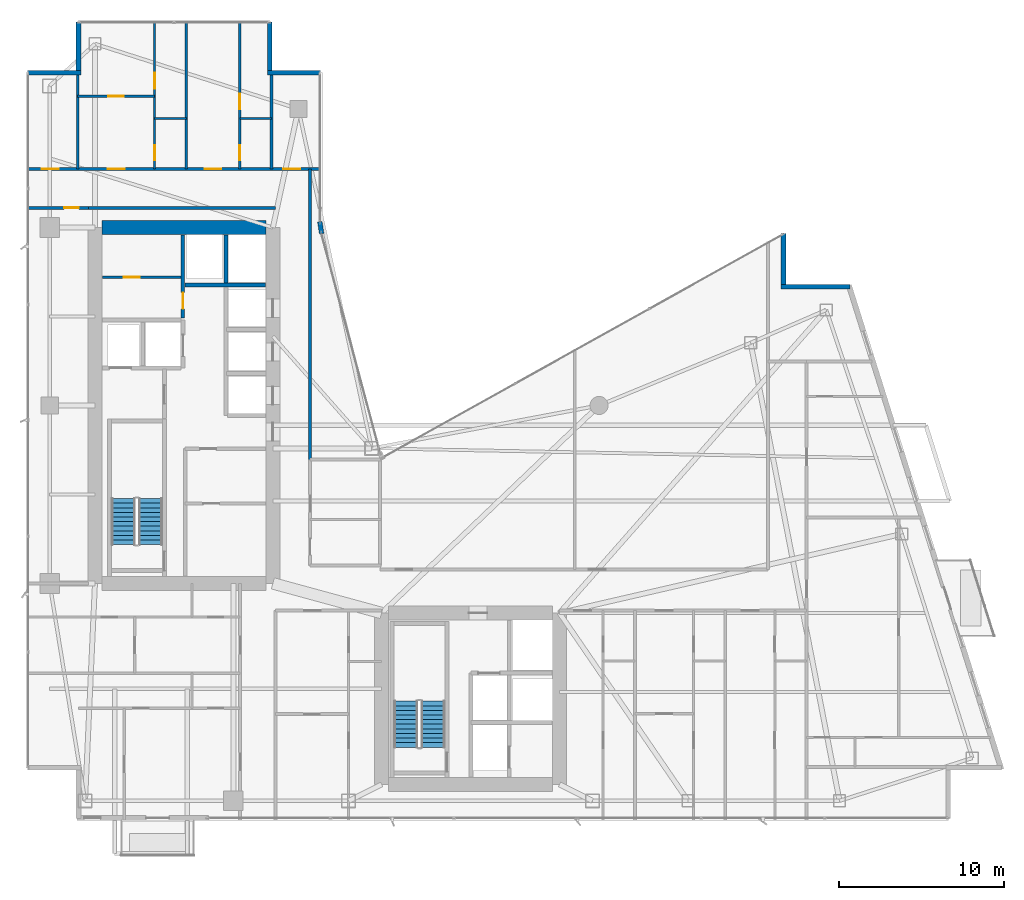
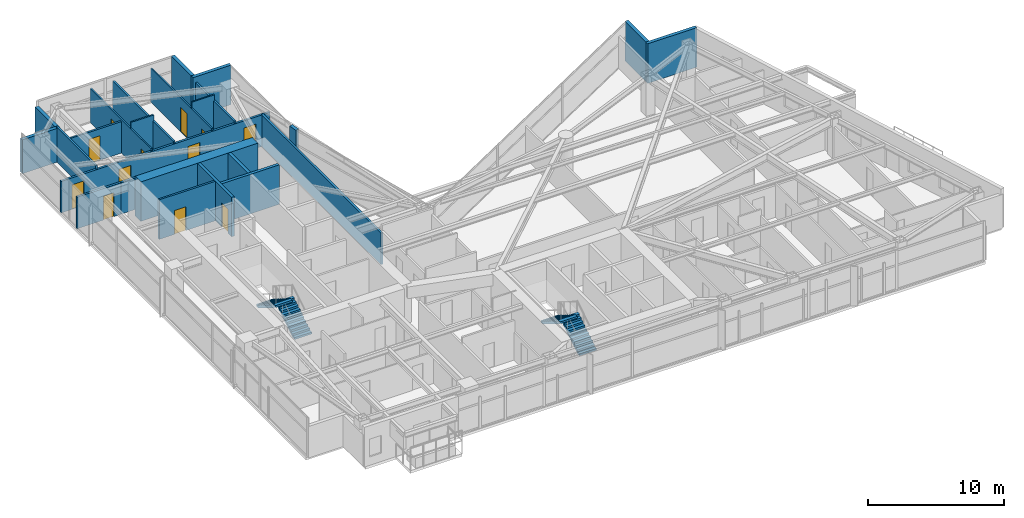
# One storey, part 25 of 28: 24 walls, 12 doors, 4 stair flights, 12 openings, 2 elements without a shape of their own.
"""IFC4 building model written with IfcOpenShell, lengths in metres."""

import ifcopenshell
import ifcopenshell.guid

model = None  # the IFC model being written
_history = None  # IfcOwnerHistory: only IFC2X3 demands one
_inside = {}  # id of a spatial element -> (the spatial element, [elements in it])
_under = {}  # id of a project, library or spatial element -> (it, [spatial elements below it])
_declared = {}  # id of a project -> (the project, [libraries it declares])
_typed = {}  # id of a type object -> (the type object, [elements of that type])
_made_of = {}  # id of a material, layer set ... -> (it, [elements and type objects made of it])


def new_model(schema):
    """Start an empty IFC model of exactly this schema.

    Asked for "IFC4X3", IfcOpenShell would pick the latest addendum, in which some entities
    have other attributes; the version numbers below select the first issue.
    IFC2X3 requires an IfcOwnerHistory on every rooted entity: one is made here for all.
    """
    global model, _history
    if schema == "IFC4X3":
        model = ifcopenshell.file(schema_version=(4, 3, 0, 0))
    else:
        model = ifcopenshell.file(schema=schema)
    _inside.clear()
    _under.clear()
    _declared.clear()
    _typed.clear()
    _made_of.clear()
    _history = None
    if model.schema == "IFC2X3":
        org = make("IfcOrganization", Name="unknown")
        user = make(
            "IfcPersonAndOrganization",
            ThePerson=make("IfcPerson", FamilyName="unknown"),
            TheOrganization=org,
        )
        app = make(
            "IfcApplication",
            ApplicationDeveloper=org,
            Version="unknown",
            ApplicationFullName="unknown",
            ApplicationIdentifier="unknown",
        )
        _history = make(
            "IfcOwnerHistory",
            OwningUser=user,
            OwningApplication=app,
            ChangeAction="ADDED",
            CreationDate=0,
        )
    return model


def make(cls, **values):
    """One entity of the class cls with the attributes given. An attribute that is None is left unset."""
    return model.create_entity(
        cls, **{name: value for name, value in values.items() if value is not None}
    )


def rooted(cls, **values):
    """An entity with a GlobalId (a new one), such as an element, a storey or a relation."""
    return make(cls, GlobalId=ifcopenshell.guid.new(), OwnerHistory=_history, **values)


def si_unit(unit_type, name, prefix=None):
    """IfcSIUnit, for example si_unit("LENGTHUNIT", "METRE", prefix="MILLI")."""
    return make("IfcSIUnit", UnitType=unit_type, Prefix=prefix, Name=name)


def assignment(units):
    """IfcUnitAssignment: the units of a project."""
    return None if units is None else make("IfcUnitAssignment", Units=units)


def point(xyz):
    """IfcCartesianPoint."""
    return None if xyz is None else make("IfcCartesianPoint", Coordinates=xyz)


def direction(xyz):
    """IfcDirection."""
    return None if xyz is None else make("IfcDirection", DirectionRatios=xyz)


def frame(location, z_axis=None, x_axis=None):
    """IfcAxis2Placement3D, a coordinate frame: its origin and axes. An axis left out is left unset."""
    return make(
        "IfcAxis2Placement3D",
        Location=point(location),
        Axis=direction(z_axis),
        RefDirection=direction(x_axis),
    )


def frame_2d(location, x_axis=None):
    """IfcAxis2Placement2D, a coordinate frame in the plane: its origin and x axis."""
    return make(
        "IfcAxis2Placement2D", Location=point(location), RefDirection=direction(x_axis)
    )


def origin():
    """The frame at (0, 0, 0) with its axes left unset."""
    return frame((0.0, 0.0, 0.0))


def place(relative_to, where):
    """IfcLocalPlacement: puts the frame where relative to a parent placement (None: the world)."""
    return make(
        "IfcLocalPlacement", PlacementRelTo=relative_to, RelativePlacement=where
    )


def context(
    kind, dimensions, precision=None, world=None, true_north=None, identifier=None
):
    """IfcGeometricRepresentationContext, for example the 3D "Model" context."""
    return make(
        "IfcGeometricRepresentationContext",
        ContextIdentifier=identifier,
        ContextType=kind,
        CoordinateSpaceDimension=dimensions,
        Precision=precision,
        WorldCoordinateSystem=world,
        TrueNorth=true_north,
    )


def subcontext(parent, identifier, kind, view, scale=None):
    """IfcGeometricRepresentationSubContext, for example "Body" below "Model"."""
    return make(
        "IfcGeometricRepresentationSubContext",
        ContextIdentifier=identifier,
        ContextType=kind,
        ParentContext=parent,
        TargetScale=scale,
        TargetView=view,
    )


def project(units=None, contexts=None):
    """IfcProject with its units and contexts."""
    return rooted(
        "IfcProject",
        Name="project",
        RepresentationContexts=contexts,
        UnitsInContext=assignment(units),
    )


def spatial(cls, under=None, at=None, **own):
    """A site, building, storey or space (cls), placed at a placement, below another one or the project."""
    s = rooted(cls, ObjectPlacement=at, **own)
    if under is not None:
        _under.setdefault(under.id(), (under, []))[1].append(s)
    return s


def polyline(points):
    """IfcPolyline through the points."""
    return make("IfcPolyline", Points=[point(p) for p in points])


def profile(cls, at=None, kind="AREA", **sizes):
    """A parametric profile (cls). Its sizes go by their IFC names, for example OverallWidth=200.0."""
    return make(cls, ProfileType=kind, Position=at, **sizes)


def rectangle(**sizes):
    """IfcRectangleProfileDef."""
    return profile("IfcRectangleProfileDef", **sizes)


def outline(outer, holes=None, kind="AREA"):
    """IfcArbitraryClosedProfileDef: a profile drawn as a closed curve; with holes, ...WithVoids."""
    if holes is None:
        return make("IfcArbitraryClosedProfileDef", ProfileType=kind, OuterCurve=outer)
    return make(
        "IfcArbitraryProfileDefWithVoids",
        ProfileType=kind,
        OuterCurve=outer,
        InnerCurves=holes,
    )


def extrude(swept, where, along, depth):
    """IfcExtrudedAreaSolid: the profile swept, set in the frame where, extruded along a direction by depth."""
    return make(
        "IfcExtrudedAreaSolid",
        SweptArea=swept,
        Position=where,
        ExtrudedDirection=direction(along),
        Depth=depth,
    )


def shape(context_of_items, identifier, shape_type, items):
    """IfcShapeRepresentation: the items that make up one representation, for example the "Body"."""
    return make(
        "IfcShapeRepresentation",
        ContextOfItems=context_of_items,
        RepresentationIdentifier=identifier,
        RepresentationType=shape_type,
        Items=items,
    )


def material(Name=None, Category=None):
    """IfcMaterial."""
    return make("IfcMaterial", Name=Name, Category=Category)


def layer(
    of_material, thickness, ventilated=None, Name=None, Category=None, Priority=None
):
    """IfcMaterialLayer: one layer of a wall or slab, of a material (None: an air gap)."""
    return make(
        "IfcMaterialLayer",
        Material=of_material,
        LayerThickness=thickness,
        IsVentilated=ventilated,
        Name=Name,
        Category=Category,
        Priority=Priority,
    )


def layer_set(layers, Name=None):
    """IfcMaterialLayerSet."""
    return make("IfcMaterialLayerSet", MaterialLayers=layers, LayerSetName=Name)


def made_of(thing, what):
    """Note that an element or type object is made of a material, layer set ...; save() writes the relation."""
    if what is not None:
        _made_of.setdefault(what.id(), (what, []))[1].append(thing)
    return thing


def type_object(cls, material=None, **own):
    """A type object (cls), such as IfcWallType, which elements share."""
    return made_of(rooted(cls, **own), material)


def element(
    cls,
    number,
    at=None,
    inside=None,
    cuts=None,
    type_object=None,
    material=None,
    context=None,
    identifier="Body",
    shape_type=None,
    held_by="IfcProductDefinitionShape",
    body=None,
    shapes=None,
    **own,
):
    """One element of the class cls, such as IfcWall. Its Tag is "e" and its number.

    at: its placement. inside: the storey or other place that contains it. cuts: it is an
    opening in that element (IfcRelVoidsElement). A single representation is given by context,
    identifier, shape_type and body (its items); several are given by shapes. held_by: the class
    of the entity that holds the representations. save() writes the other relations.
    """
    e = rooted(cls, Tag="e%d" % number, ObjectPlacement=at, **own)
    if body is not None:
        shapes = [shape(context, identifier, shape_type, body)]
    if shapes is not None:
        e.Representation = make(held_by, Representations=shapes)
    if inside is not None:
        _inside.setdefault(inside.id(), (inside, []))[1].append(e)
    if cuts is not None:
        rooted(
            "IfcRelVoidsElement", RelatingBuildingElement=cuts, RelatedOpeningElement=e
        )
    if type_object is not None:
        _typed.setdefault(type_object.id(), (type_object, []))[1].append(e)
    return made_of(e, material)


def fill(opening, filler):
    """IfcRelFillsElement: the door or window that sits in an opening."""
    return rooted(
        "IfcRelFillsElement",
        RelatingOpeningElement=opening,
        RelatedBuildingElement=filler,
    )


def aggregate(whole, parts):
    """IfcRelAggregates: a whole, such as a stair, and the parts it consists of."""
    return rooted("IfcRelAggregates", RelatingObject=whole, RelatedObjects=parts)


def save(model, path):
    """Write the relations noted so far, then the file.

    IfcRelAggregates (storeys below a building ...), IfcRelContainedInSpatialStructure (elements
    in a storey), IfcRelDefinesByType, IfcRelAssociatesMaterial and IfcRelDeclares: one each for
    every whole, place, type object, material and project.
    """
    for whole, parts in _under.values():
        aggregate(whole, parts)
    for where, things in _inside.values():
        rooted(
            "IfcRelContainedInSpatialStructure",
            RelatedElements=things,
            RelatingStructure=where,
        )
    for kind, things in _typed.values():
        rooted("IfcRelDefinesByType", RelatedObjects=things, RelatingType=kind)
    for what, things in _made_of.values():
        rooted("IfcRelAssociatesMaterial", RelatedObjects=things, RelatingMaterial=what)
    for by, libraries in _declared.values():
        rooted("IfcRelDeclares", RelatingContext=by, RelatedDefinitions=libraries)
    model.write(path)


model = new_model("IFC4")

# Units and contexts
model_context = context("Model", 3, precision=1e-05, world=origin(), true_north=direction((0.0, 1.0)))
body_context = subcontext(model_context, "Body", "Model", "MODEL_VIEW")
ifc_project = project(units=[si_unit("LENGTHUNIT", "METRE"), si_unit("AREAUNIT", "SQUARE_METRE"), si_unit("VOLUMEUNIT", "CUBIC_METRE"), si_unit("PLANEANGLEUNIT", "RADIAN"), si_unit("MASSUNIT", "GRAM", prefix="KILO")], contexts=[model_context])

# Site, building, storey
site_placement = place(None, origin())
site = spatial("IfcSite", under=ifc_project, at=site_placement, CompositionType="ELEMENT")
building_placement = place(site_placement, origin())
building = spatial("IfcBuilding", under=site, at=building_placement, Name="Calvorn Quay Hotel", CompositionType="ELEMENT")
storey_placement = place(building_placement, frame((0.0, 0.0, 108.800048828125)))
storey = spatial("IfcBuildingStorey", under=building, at=storey_placement, Name="L26", CompositionType="ELEMENT", Elevation=108.800048828125)

# Wall
ifc_material_1 = material(Name="Concrete C50", Category="concrete")
ifc_layer_1 = layer(ifc_material_1, 0.85009765625)
ifc_layer_set_1 = layer_set([ifc_layer_1], Name="WL-CORE-850")
wall_type_1 = type_object("IfcWallType", Name="WL-CORE-850", PredefinedType="SHEAR", material=ifc_layer_set_1)
wall_1_placement = place(storey_placement, frame((4.625, 38.39990234375, 0.0), z_axis=(0.0, 0.0, 1.0), x_axis=(1.0, 0.0, 0.0)))
element("IfcWall", 1, at=wall_1_placement, inside=storey, type_object=wall_type_1, Name="West Core Shear Wall N (L26)", PredefinedType="SHEAR", context=body_context, shape_type="SweptSolid", body=[
    extrude(rectangle(XDim=9.949951171875, YDim=0.85009765625, at=frame_2d((4.97509765625, 0.0))), origin(), (0.0, 0.0, 1.0), 3.56005859375),
])

# Wall, opening, door
ifc_material_2 = material(Name="Acoustic Fireboard Steel-Stud Partition", Category="steel")
ifc_layer_2 = layer(ifc_material_2, 0.179931640625)
ifc_layer_set_2 = layer_set([ifc_layer_2], Name="WL-CORR-FIRE-180")
wall_type_2 = type_object("IfcWallType", Name="WL-CORR-FIRE-180", PredefinedType="PARTITIONING", material=ifc_layer_set_2)
wall_2_placement = place(storey_placement, frame((0.080078125, 39.60009765625, 0.0), z_axis=(0.0, 0.0, 1.0), x_axis=(1.0, 0.0, 0.0)))
wall_2 = element("IfcWall", 2, at=wall_2_placement, inside=storey, type_object=wall_type_2, Name="Partition Wall L26-WL-WBAY-N-DOOR", PredefinedType="PARTITIONING", context=body_context, shape_type="SweptSolid", body=[
    extrude(rectangle(XDim=3.724853515625, YDim=0.179931640625, at=frame_2d((1.8623046875, 0.0))), origin(), (0.0, 0.0, 1.0), 2.83984375),
])
opening_1_placement = place(wall_2_placement, frame((2.25, 0.0, 0.0)))
opening_1 = element("IfcOpeningElement", 3, at=opening_1_placement, cuts=wall_2, Name="Opening D-L26-WBN", PredefinedType="OPENING", context=body_context, shape_type="SweptSolid", body=[
    extrude(rectangle(XDim=0.89990234375, YDim=2.14990234375, at=frame_2d((0.449951171875, 1.074951171875))), frame((0.0, 0.099853515625, 0.0), z_axis=(0.0, -1.0, 0.0), x_axis=(1.0, 0.0, 0.0)), (0.0, 0.0, 1.0), 0.199951171875),
])
ifc_material_3 = material(Name="Moisture-Sealed Timber En-Suite Door", Category="wood")
door_type_1 = type_object("IfcDoorType", Name="DR-ENSUITE-900", OperationType="NOTDEFINED", PredefinedType="DOOR", material=ifc_material_3)
door_1_placement = place(opening_1_placement, origin())
door_1 = element("IfcDoor", 4, at=door_1_placement, inside=storey, type_object=door_type_1, Name="West North Bay Door (L26)", OperationType="SINGLE_SWING_LEFT", OverallHeight=2.14990234375, OverallWidth=0.89990234375, PredefinedType="DOOR", context=body_context, shape_type="SweptSolid", body=[
    extrude(rectangle(XDim=0.89990234375, YDim=2.14990234375, at=frame_2d((0.449951171875, 1.074951171875))), frame((0.0, 0.02490234375, 0.0), z_axis=(0.0, -1.0, 0.0), x_axis=(1.0, 0.0, 0.0)), (0.0, 0.0, 1.0), 0.050048828125),
])
fill(opening_1, door_1)

# Wall, openings, doors
wall_3_placement = place(storey_placement, frame((0.080078125, 41.949951171875, 0.0), z_axis=(0.0, 0.0, 1.0), x_axis=(1.0, 0.0, 0.0)))
wall_3 = element("IfcWall", 5, at=wall_3_placement, inside=storey, type_object=wall_type_2, Name="Partition Wall L26-WL-CORR-NW-N", PredefinedType="PARTITIONING", context=body_context, shape_type="SweptSolid", body=[
    extrude(rectangle(XDim=17.77001953125, YDim=0.179931640625, at=frame_2d((8.885009765625, 0.0))), origin(), (0.0, 0.0, 1.0), 2.83984375),
])
opening_2_placement = place(wall_3_placement, frame((0.89990234375, 0.0, 0.0)))
opening_2 = element("IfcOpeningElement", 6, at=opening_2_placement, cuts=wall_3, Name="Opening D-L26-NWW", PredefinedType="OPENING", context=body_context, shape_type="SweptSolid", body=[
    extrude(rectangle(XDim=1.02001953125, YDim=2.199951171875, at=frame_2d((0.510009765625, 1.10009765625))), frame((0.0, 0.099853515625, 0.0), z_axis=(0.0, -1.0, 0.0), x_axis=(1.0, 0.0, 0.0)), (0.0, 0.0, 1.0), 0.199951171875),
])
opening_3_placement = place(wall_3_placement, frame((4.89990234375, 0.0, 0.0)))
opening_3 = element("IfcOpeningElement", 7, at=opening_3_placement, cuts=wall_3, Name="Opening D-L26-U04", PredefinedType="OPENING", context=body_context, shape_type="SweptSolid", body=[
    extrude(rectangle(XDim=1.02001953125, YDim=2.199951171875, at=frame_2d((0.510009765625, 1.10009765625))), frame((0.0, 0.099853515625, 0.0), z_axis=(0.0, -1.0, 0.0), x_axis=(1.0, 0.0, 0.0)), (0.0, 0.0, 1.0), 0.199951171875),
])
opening_4_placement = place(wall_3_placement, frame((10.780029296875, 0.0, 0.0)))
opening_4 = element("IfcOpeningElement", 8, at=opening_4_placement, cuts=wall_3, Name="Opening D-L26-U05", PredefinedType="OPENING", context=body_context, shape_type="SweptSolid", body=[
    extrude(rectangle(XDim=1.02001953125, YDim=2.199951171875, at=frame_2d((0.510009765625, 1.10009765625))), frame((0.0, 0.099853515625, 0.0), z_axis=(0.0, -1.0, 0.0), x_axis=(1.0, 0.0, 0.0)), (0.0, 0.0, 1.0), 0.199951171875),
])
opening_5_placement = place(wall_3_placement, frame((15.550048828125, 0.0, 0.0)))
opening_5 = element("IfcOpeningElement", 9, at=opening_5_placement, cuts=wall_3, Name="Opening D-L26-NWE", PredefinedType="OPENING", context=body_context, shape_type="SweptSolid", body=[
    extrude(rectangle(XDim=1.02001953125, YDim=2.199951171875, at=frame_2d((0.510009765625, 1.10009765625))), frame((0.0, 0.099853515625, 0.0), z_axis=(0.0, -1.0, 0.0), x_axis=(1.0, 0.0, 0.0)), (0.0, 0.0, 1.0), 0.199951171875),
])
ifc_material_4 = material(Name="Solid-Core Walnut Veneer Hotel Fire Door")
door_type_2 = type_object("IfcDoorType", Name="DR-GUEST-ENTRY-1020", OperationType="NOTDEFINED", PredefinedType="DOOR", material=ifc_material_4)
door_2_placement = place(opening_2_placement, origin())
door_2 = element("IfcDoor", 10, at=door_2_placement, inside=storey, type_object=door_type_2, Name="West Corner Study Door (L26)", OperationType="SINGLE_SWING_LEFT", OverallHeight=2.199951171875, OverallWidth=1.02001953125, PredefinedType="DOOR", context=body_context, shape_type="SweptSolid", body=[
    extrude(rectangle(XDim=1.02001953125, YDim=2.199951171875, at=frame_2d((0.510009765625, 1.10009765625))), frame((0.0, 0.02490234375, 0.0), z_axis=(0.0, -1.0, 0.0), x_axis=(1.0, 0.0, 0.0)), (0.0, 0.0, 1.0), 0.050048828125),
])
fill(opening_2, door_2)
door_3_placement = place(opening_3_placement, origin())
door_3 = element("IfcDoor", 11, at=door_3_placement, inside=storey, type_object=door_type_2, Name="North-West Unit Door U04 (L26)", OperationType="SINGLE_SWING_RIGHT", OverallHeight=2.199951171875, OverallWidth=1.02001953125, PredefinedType="DOOR", context=body_context, shape_type="SweptSolid", body=[
    extrude(rectangle(XDim=1.02001953125, YDim=2.199951171875, at=frame_2d((0.510009765625, 1.10009765625))), frame((0.0, 0.02490234375, 0.0), z_axis=(0.0, -1.0, 0.0), x_axis=(1.0, 0.0, 0.0)), (0.0, 0.0, 1.0), 0.050048828125),
])
fill(opening_3, door_3)
door_4_placement = place(opening_4_placement, origin())
door_4 = element("IfcDoor", 12, at=door_4_placement, inside=storey, type_object=door_type_2, Name="North-West Unit Door U05 (L26)", OperationType="SINGLE_SWING_LEFT", OverallHeight=2.199951171875, OverallWidth=1.02001953125, PredefinedType="DOOR", context=body_context, shape_type="SweptSolid", body=[
    extrude(rectangle(XDim=1.02001953125, YDim=2.199951171875, at=frame_2d((0.510009765625, 1.10009765625))), frame((0.0, 0.02490234375, 0.0), z_axis=(0.0, -1.0, 0.0), x_axis=(1.0, 0.0, 0.0)), (0.0, 0.0, 1.0), 0.050048828125),
])
fill(opening_4, door_4)
door_5_placement = place(opening_5_placement, origin())
door_5 = element("IfcDoor", 13, at=door_5_placement, inside=storey, type_object=door_type_2, Name="Inner Court Study Door (L26)", OperationType="SINGLE_SWING_RIGHT", OverallHeight=2.199951171875, OverallWidth=1.02001953125, PredefinedType="DOOR", context=body_context, shape_type="SweptSolid", body=[
    extrude(rectangle(XDim=1.02001953125, YDim=2.199951171875, at=frame_2d((0.510009765625, 1.10009765625))), frame((0.0, 0.02490234375, 0.0), z_axis=(0.0, -1.0, 0.0), x_axis=(1.0, 0.0, 0.0)), (0.0, 0.0, 1.0), 0.050048828125),
])
fill(opening_5, door_5)

# Walls
wall_4_placement = place(storey_placement, frame((17.25, 24.300048828125, 0.0), z_axis=(0.0, 0.0, 1.0), x_axis=(0.0, 1.0, 0.0)))
element("IfcWall", 14, at=wall_4_placement, inside=storey, type_object=wall_type_2, Name="Partition Wall L26-WL-NW-CLOSURE-E", PredefinedType="PARTITIONING", context=body_context, shape_type="SweptSolid", body=[
    extrude(rectangle(XDim=17.64990234375, YDim=0.179931640625, at=frame_2d((8.824951171875, 0.0))), origin(), (0.0, 0.0, 1.0), 2.83984375),
])
wall_5_placement = place(storey_placement, frame((3.7548828125, 39.60009765625, 0.0), z_axis=(0.0, 0.0, 1.0), x_axis=(1.0, 0.0, 0.0)))
element("IfcWall", 15, at=wall_5_placement, inside=storey, type_object=wall_type_2, Name="Partition Wall L26-WL-W-SPUR-S", PredefinedType="PARTITIONING", context=body_context, shape_type="SweptSolid", body=[
    extrude(rectangle(XDim=11.39501953125, YDim=0.179931640625, at=frame_2d((5.697509765625, 0.0))), origin(), (0.0, 0.0, 1.0), 2.83984375),
])
ifc_material_5 = material(Name="Moisture-Resistant Tile-Backed Partition")
ifc_layer_3 = layer(ifc_material_5, 0.125)
ifc_layer_set_3 = layer_set([ifc_layer_3], Name="WL-ENSUITE-125")
wall_type_3 = type_object("IfcWallType", Name="WL-ENSUITE-125", PredefinedType="PARTITIONING", material=ifc_layer_set_3)
wall_6_placement = place(storey_placement, frame((7.820068359375, 45.02001953125, 0.0), z_axis=(0.0, 0.0, 1.0), x_axis=(1.0, 0.0, 0.0)))
element("IfcWall", 16, at=wall_6_placement, inside=storey, type_object=wall_type_3, Name="Partition Wall L26-WL-U04-BDV", PredefinedType="PARTITIONING", context=body_context, shape_type="SweptSolid", body=[
    extrude(rectangle(XDim=1.929931640625, YDim=0.125, at=frame_2d((0.96484375, 0.0))), origin(), (0.0, 0.0, 1.0), 3.56005859375),
])

# Wall, openings, doors
wall_7_placement = place(storey_placement, frame((7.820068359375, 41.949951171875, 0.0), z_axis=(0.0, 0.0, 1.0), x_axis=(0.0, 1.0, 0.0)))
wall_7 = element("IfcWall", 17, at=wall_7_placement, inside=storey, type_object=wall_type_3, Name="Partition Wall L26-WL-U04-BV", PredefinedType="PARTITIONING", context=body_context, shape_type="SweptSolid", body=[
    extrude(rectangle(XDim=8.989990234375, YDim=0.125, at=frame_2d((4.4951171875, 0.0))), origin(), (0.0, 0.0, 1.0), 3.0400390625),
])
opening_6_placement = place(wall_7_placement, frame((0.550048828125, 0.0, 0.0)))
opening_6 = element("IfcOpeningElement", 18, at=opening_6_placement, cuts=wall_7, Name="Opening D-L26-E04", PredefinedType="OPENING", context=body_context, shape_type="SweptSolid", body=[
    extrude(rectangle(XDim=0.89990234375, YDim=2.14990234375, at=frame_2d((0.449951171875, 1.074951171875))), frame((0.0, 0.072509765625, 0.0), z_axis=(0.0, -1.0, 0.0), x_axis=(1.0, 0.0, 0.0)), (0.0, 0.0, 1.0), 0.14501953125),
])
opening_7_placement = place(wall_7_placement, frame((4.8798828125, 0.0, 0.0)))
opening_7 = element("IfcOpeningElement", 19, at=opening_7_placement, cuts=wall_7, Name="Opening D-L26-S04", PredefinedType="OPENING", context=body_context, shape_type="SweptSolid", body=[
    extrude(rectangle(XDim=0.9599609375, YDim=2.199951171875, at=frame_2d((0.47998046875, 1.10009765625))), frame((0.0, 0.072509765625, 0.0), z_axis=(0.0, -1.0, 0.0), x_axis=(1.0, 0.0, 0.0)), (0.0, 0.0, 1.0), 0.14501953125),
])
door_6_placement = place(opening_6_placement, origin())
door_6 = element("IfcDoor", 20, at=door_6_placement, inside=storey, type_object=door_type_1, Name="En-Suite Door 04", OperationType="SINGLE_SWING_LEFT", OverallHeight=2.14990234375, OverallWidth=0.89990234375, PredefinedType="DOOR", context=body_context, shape_type="SweptSolid", body=[
    extrude(rectangle(XDim=0.89990234375, YDim=2.14990234375, at=frame_2d((0.449951171875, 1.074951171875))), frame((0.0, 0.02490234375, 0.0), z_axis=(0.0, -1.0, 0.0), x_axis=(1.0, 0.0, 0.0)), (0.0, 0.0, 1.0), 0.050048828125),
])
fill(opening_6, door_6)
ifc_material_6 = material(Name="Solid Timber Internal Suite Door", Category="wood")
door_type_3 = type_object("IfcDoorType", Name="DR-SUITE-INT-960", OperationType="NOTDEFINED", PredefinedType="DOOR", material=ifc_material_6)
door_7_placement = place(opening_7_placement, origin())
door_7 = element("IfcDoor", 21, at=door_7_placement, inside=storey, type_object=door_type_3, Name="Harbour Dining Den Door 04", OperationType="SINGLE_SWING_RIGHT", OverallHeight=2.199951171875, OverallWidth=0.9599609375, PredefinedType="DOOR", context=body_context, shape_type="SweptSolid", body=[
    extrude(rectangle(XDim=0.9599609375, YDim=2.199951171875, at=frame_2d((0.47998046875, 1.10009765625))), frame((0.0, 0.02490234375, 0.0), z_axis=(0.0, -1.0, 0.0), x_axis=(1.0, 0.0, 0.0)), (0.0, 0.0, 1.0), 0.050048828125),
])
fill(opening_7, door_7)

# Wall
wall_8_placement = place(storey_placement, frame((12.989990234375, 45.02001953125, 0.0), z_axis=(0.0, 0.0, 1.0), x_axis=(1.0, 0.0, 0.0)))
element("IfcWall", 22, at=wall_8_placement, inside=storey, type_object=wall_type_3, Name="Partition Wall L26-WL-U05-BDV", PredefinedType="PARTITIONING", context=body_context, shape_type="SweptSolid", body=[
    extrude(rectangle(XDim=1.929931640625, YDim=0.125, at=frame_2d((0.96484375, 0.0))), origin(), (0.0, 0.0, 1.0), 3.56005859375),
])

# Wall, openings, doors
wall_9_placement = place(storey_placement, frame((12.989990234375, 41.949951171875, 0.0), z_axis=(0.0, 0.0, 1.0), x_axis=(0.0, 1.0, 0.0)))
wall_9 = element("IfcWall", 23, at=wall_9_placement, inside=storey, type_object=wall_type_3, Name="Partition Wall L26-WL-U05-BV", PredefinedType="PARTITIONING", context=body_context, shape_type="SweptSolid", body=[
    extrude(rectangle(XDim=8.989990234375, YDim=0.125, at=frame_2d((4.4951171875, 0.0))), origin(), (0.0, 0.0, 1.0), 3.0400390625),
])
opening_8_placement = place(wall_9_placement, frame((0.550048828125, 0.0, 0.0)))
opening_8 = element("IfcOpeningElement", 24, at=opening_8_placement, cuts=wall_9, Name="Opening D-L26-E05", PredefinedType="OPENING", context=body_context, shape_type="SweptSolid", body=[
    extrude(rectangle(XDim=0.89990234375, YDim=2.14990234375, at=frame_2d((0.449951171875, 1.074951171875))), frame((0.0, 0.072509765625, 0.0), z_axis=(0.0, -1.0, 0.0), x_axis=(1.0, 0.0, 0.0)), (0.0, 0.0, 1.0), 0.14501953125),
])
opening_9_placement = place(wall_9_placement, frame((3.6201171875, 0.0, 0.0)))
opening_9 = element("IfcOpeningElement", 25, at=opening_9_placement, cuts=wall_9, Name="Opening D-L26-S05", PredefinedType="OPENING", context=body_context, shape_type="SweptSolid", body=[
    extrude(rectangle(XDim=0.9599609375, YDim=2.199951171875, at=frame_2d((0.47998046875, 1.10009765625))), frame((0.0, 0.072509765625, 0.0), z_axis=(0.0, -1.0, 0.0), x_axis=(1.0, 0.0, 0.0)), (0.0, 0.0, 1.0), 0.14501953125),
])
door_8_placement = place(opening_8_placement, origin())
door_8 = element("IfcDoor", 26, at=door_8_placement, inside=storey, type_object=door_type_1, Name="En-Suite Door 05", OperationType="SINGLE_SWING_LEFT", OverallHeight=2.14990234375, OverallWidth=0.89990234375, PredefinedType="DOOR", context=body_context, shape_type="SweptSolid", body=[
    extrude(rectangle(XDim=0.89990234375, YDim=2.14990234375, at=frame_2d((0.449951171875, 1.074951171875))), frame((0.0, 0.02490234375, 0.0), z_axis=(0.0, -1.0, 0.0), x_axis=(1.0, 0.0, 0.0)), (0.0, 0.0, 1.0), 0.050048828125),
])
fill(opening_8, door_8)
door_9_placement = place(opening_9_placement, origin())
door_9 = element("IfcDoor", 27, at=door_9_placement, inside=storey, type_object=door_type_3, Name="Harbour Dining Den Door 05", OperationType="SINGLE_SWING_RIGHT", OverallHeight=2.199951171875, OverallWidth=0.9599609375, PredefinedType="DOOR", context=body_context, shape_type="SweptSolid", body=[
    extrude(rectangle(XDim=0.9599609375, YDim=2.199951171875, at=frame_2d((0.47998046875, 1.10009765625))), frame((0.0, 0.02490234375, 0.0), z_axis=(0.0, -1.0, 0.0), x_axis=(1.0, 0.0, 0.0)), (0.0, 0.0, 1.0), 0.050048828125),
])
fill(opening_9, door_9)

# Walls
ifc_material_7 = material(Name="Concrete C40", Category="concrete")
ifc_layer_4 = layer(ifc_material_7, 0.320068359375)
ifc_layer_set_4 = layer_set([ifc_layer_4], Name="WL-EXT-SPANDREL-320")
wall_type_4 = type_object("IfcWallType", Name="WL-EXT-SPANDREL-320", PredefinedType="SOLIDWALL", material=ifc_layer_set_4)
wall_10_placement = place(storey_placement, frame((17.9619140625, 38.030029296875, 0.0), z_axis=(0.0, 0.0, 1.0), x_axis=(-0.15141125477, 0.988470855377, 0.0)))
element("IfcWall", 28, at=wall_10_placement, inside=storey, type_object=wall_type_4, Name="Inner Court Corner Pier L26-ICJ2", PredefinedType="SOLIDWALL", context=body_context, shape_type="SweptSolid", body=[
    extrude(rectangle(XDim=0.738525390625, YDim=0.280029296875, at=frame_2d((0.369140625, 0.0))), origin(), (0.0, 0.0, 1.0), 3.56005859375),
])
wall_11_placement = place(storey_placement, frame((50.0400390625, 34.800048828125, 0.0), z_axis=(0.0, 0.0, 1.0), x_axis=(-1.0, 0.0, 0.0)))
element("IfcWall", 29, at=wall_11_placement, inside=storey, type_object=wall_type_4, Name="Notched Corner Spandrel L26-NE1", PredefinedType="SOLIDWALL", context=body_context, shape_type="SweptSolid", body=[
    extrude(rectangle(XDim=4.179931640625, YDim=0.280029296875, at=frame_2d((2.08984375, 0.0))), origin(), (0.0, 0.0, 1.0), 3.56005859375),
])
wall_12_placement = place(storey_placement, frame((46.0, 34.93994140625, 0.0), z_axis=(0.0, 0.0, 1.0), x_axis=(0.0, 1.0, 0.0)))
element("IfcWall", 30, at=wall_12_placement, inside=storey, type_object=wall_type_4, Name="Notched Corner Spandrel L26-NE2", PredefinedType="SOLIDWALL", context=body_context, shape_type="SweptSolid", body=[
    extrude(rectangle(XDim=3.10009765625, YDim=0.280029296875, at=frame_2d((1.550048828125, 0.0))), origin(), (0.0, 0.0, 1.0), 3.56005859375),
])
wall_13_placement = place(storey_placement, frame((17.89990234375, 47.800048828125, 0.0), z_axis=(0.0, 0.0, 1.0), x_axis=(-1.0, 0.0, 0.0)))
element("IfcWall", 31, at=wall_13_placement, inside=storey, type_object=wall_type_4, Name="Notched Corner Spandrel L26-NWE1", PredefinedType="SOLIDWALL", context=body_context, shape_type="SweptSolid", body=[
    extrude(rectangle(XDim=3.239990234375, YDim=0.280029296875, at=frame_2d((1.6201171875, 0.0))), origin(), (0.0, 0.0, 1.0), 3.56005859375),
])
wall_14_placement = place(storey_placement, frame((14.800048828125, 47.93994140625, 0.0), z_axis=(0.0, 0.0, 1.0), x_axis=(0.0, 1.0, 0.0)))
element("IfcWall", 32, at=wall_14_placement, inside=storey, type_object=wall_type_4, Name="Notched Corner Spandrel L26-NWE2", PredefinedType="SOLIDWALL", context=body_context, shape_type="SweptSolid", body=[
    extrude(rectangle(XDim=2.93994140625, YDim=0.280029296875, at=frame_2d((1.469970703125, 0.0))), origin(), (0.0, 0.0, 1.0), 3.56005859375),
])
wall_15_placement = place(storey_placement, frame((3.199951171875, 50.8798828125, 0.0), z_axis=(0.0, 0.0, 1.0), x_axis=(0.0, -1.0, 0.0)))
element("IfcWall", 33, at=wall_15_placement, inside=storey, type_object=wall_type_4, Name="Notched Corner Spandrel L26-NW1", PredefinedType="SOLIDWALL", context=body_context, shape_type="SweptSolid", body=[
    extrude(rectangle(XDim=2.93994140625, YDim=0.280029296875, at=frame_2d((1.469970703125, 0.0))), origin(), (0.0, 0.0, 1.0), 3.0400390625),
])
wall_16_placement = place(storey_placement, frame((3.340087890625, 47.800048828125, 0.0), z_axis=(0.0, 0.0, 1.0), x_axis=(-1.0, 0.0, 0.0)))
element("IfcWall", 34, at=wall_16_placement, inside=storey, type_object=wall_type_4, Name="Notched Corner Spandrel L26-NW2", PredefinedType="SOLIDWALL", context=body_context, shape_type="SweptSolid", body=[
    extrude(rectangle(XDim=3.219970703125, YDim=0.280029296875, at=frame_2d((1.60986328125, 0.0))), origin(), (0.0, 0.0, 1.0), 3.0400390625),
])

# Wall, opening, door
ifc_material_8 = material(Name="Double-Stud Acoustic Gypsum Partition")
ifc_layer_5 = layer(ifc_material_8, 0.159912109375)
ifc_layer_set_5 = layer_set([ifc_layer_5], Name="WL-INTERSUITE-160")
wall_type_5 = type_object("IfcWallType", Name="WL-INTERSUITE-160", PredefinedType="PARTITIONING", material=ifc_layer_set_5)
wall_17_placement = place(storey_placement, frame((4.64501953125, 35.3798828125, 0.0), z_axis=(0.0, 0.0, 1.0), x_axis=(1.0, 0.0, 0.0)))
wall_17 = element("IfcWall", 35, at=wall_17_placement, inside=storey, type_object=wall_type_5, Name="Partition Wall L26-WL-CWW-K-MID", PredefinedType="PARTITIONING", context=body_context, shape_type="SweptSolid", body=[
    extrude(rectangle(XDim=4.77490234375, YDim=0.159912109375, at=frame_2d((2.387451171875, 0.0))), origin(), (0.0, 0.0, 1.0), 3.56005859375),
])
opening_10_placement = place(wall_17_placement, frame((1.300048828125, 0.0, 0.0)))
opening_10 = element("IfcOpeningElement", 36, at=opening_10_placement, cuts=wall_17, Name="Opening D-L26-CK2", PredefinedType="OPENING", context=body_context, shape_type="SweptSolid", body=[
    extrude(rectangle(XDim=0.97998046875, YDim=2.14990234375, at=frame_2d((0.489990234375, 1.074951171875))), frame((0.0, 0.08984375, 0.0), z_axis=(0.0, -1.0, 0.0), x_axis=(1.0, 0.0, 0.0)), (0.0, 0.0, 1.0), 0.179931640625),
])
ifc_material_9 = material(Name="Painted Steel Housekeeping/Riser Fire Door", Category="steel")
door_type_4 = type_object("IfcDoorType", Name="DR-SERVICE-980", OperationType="NOTDEFINED", PredefinedType="DOOR", material=ifc_material_9)
door_10_placement = place(opening_10_placement, origin())
door_10 = element("IfcDoor", 37, at=door_10_placement, inside=storey, type_object=door_type_4, Name="Electrical Riser Door (L26)", OperationType="SINGLE_SWING_RIGHT", OverallHeight=2.14990234375, OverallWidth=0.97998046875, PredefinedType="DOOR", context=body_context, shape_type="SweptSolid", body=[
    extrude(rectangle(XDim=0.97998046875, YDim=2.14990234375, at=frame_2d((0.489990234375, 1.074951171875))), frame((0.0, 0.02490234375, 0.0), z_axis=(0.0, -1.0, 0.0), x_axis=(1.0, 0.0, 0.0)), (0.0, 0.0, 1.0), 0.050048828125),
])
fill(opening_10, door_10)

# Walls
wall_18_placement = place(storey_placement, frame((3.14990234375, 41.949951171875, 0.0), z_axis=(0.0, 0.0, 1.0), x_axis=(0.0, 1.0, 0.0)))
element("IfcWall", 38, at=wall_18_placement, inside=storey, type_object=wall_type_5, Name="Partition Wall L26-WL-NW-DIV-W0", PredefinedType="PARTITIONING", context=body_context, shape_type="SweptSolid", body=[
    extrude(rectangle(XDim=5.85009765625, YDim=0.159912109375, at=frame_2d((2.925048828125, 0.0))), origin(), (0.0, 0.0, 1.0), 3.139892578125),
])
wall_19_placement = place(storey_placement, frame((14.919921875, 41.949951171875, 0.0), z_axis=(0.0, 0.0, 1.0), x_axis=(0.0, 1.0, 0.0)))
element("IfcWall", 39, at=wall_19_placement, inside=storey, type_object=wall_type_5, Name="Partition Wall L26-WL-NW-DIV-E0", PredefinedType="PARTITIONING", context=body_context, shape_type="SweptSolid", body=[
    extrude(rectangle(XDim=5.85009765625, YDim=0.159912109375, at=frame_2d((2.925048828125, 0.0))), origin(), (0.0, 0.0, 1.0), 3.0400390625),
])

# Wall, opening, door
wall_20_placement = place(storey_placement, frame((3.14990234375, 46.3798828125, 0.0), z_axis=(0.0, 0.0, 1.0), x_axis=(1.0, 0.0, 0.0)))
wall_20 = element("IfcWall", 40, at=wall_20_placement, inside=storey, type_object=wall_type_5, Name="Partition Wall L26-WL-U04-MSP", PredefinedType="PARTITIONING", context=body_context, shape_type="SweptSolid", body=[
    extrude(rectangle(XDim=4.670166015625, YDim=0.159912109375, at=frame_2d((2.3349609375, 0.0))), origin(), (0.0, 0.0, 1.0), 2.83984375),
])
opening_11_placement = place(wall_20_placement, frame((1.85009765625, 0.0, 0.0)))
opening_11 = element("IfcOpeningElement", 41, at=opening_11_placement, cuts=wall_20, Name="Opening D-L26-M04", PredefinedType="OPENING", context=body_context, shape_type="SweptSolid", body=[
    extrude(rectangle(XDim=0.9599609375, YDim=2.199951171875, at=frame_2d((0.47998046875, 1.10009765625))), frame((0.0, 0.08984375, 0.0), z_axis=(0.0, -1.0, 0.0), x_axis=(1.0, 0.0, 0.0)), (0.0, 0.0, 1.0), 0.179931640625),
])
door_11_placement = place(opening_11_placement, origin())
door_11 = element("IfcDoor", 42, at=door_11_placement, inside=storey, type_object=door_type_3, Name="Suite Bedroom Door 04", OperationType="SINGLE_SWING_LEFT", OverallHeight=2.199951171875, OverallWidth=0.9599609375, PredefinedType="DOOR", context=body_context, shape_type="SweptSolid", body=[
    extrude(rectangle(XDim=0.9599609375, YDim=2.199951171875, at=frame_2d((0.47998046875, 1.10009765625))), frame((0.0, 0.02490234375, 0.0), z_axis=(0.0, -1.0, 0.0), x_axis=(1.0, 0.0, 0.0)), (0.0, 0.0, 1.0), 0.050048828125),
])
fill(opening_11, door_11)

# Wall
wall_21_placement = place(storey_placement, frame((9.75, 41.949951171875, 0.0), z_axis=(0.0, 0.0, 1.0), x_axis=(0.0, 1.0, 0.0)))
element("IfcWall", 43, at=wall_21_placement, inside=storey, type_object=wall_type_5, Name="Partition Wall L26-WL-NW-DIV-1", PredefinedType="PARTITIONING", context=body_context, shape_type="SweptSolid", body=[
    extrude(rectangle(XDim=8.989990234375, YDim=0.159912109375, at=frame_2d((4.4951171875, 0.0))), origin(), (0.0, 0.0, 1.0), 3.0400390625),
])

# Wall, opening, door
ifc_material_10 = material(Name="Autoclaved Aerated Masonry Block", Category="masonry")
ifc_layer_6 = layer(ifc_material_10, 0.219970703125)
ifc_layer_set_6 = layer_set([ifc_layer_6], Name="WL-LOBBY-FIRE-220")
wall_type_6 = type_object("IfcWallType", Name="WL-LOBBY-FIRE-220", PredefinedType="SOLIDWALL", material=ifc_layer_set_6)
wall_22_placement = place(storey_placement, frame((9.5400390625, 32.919921875, 0.0), z_axis=(0.0, 0.0, 1.0), x_axis=(0.0, 1.0, 0.0)))
wall_22 = element("IfcWall", 44, at=wall_22_placement, inside=storey, type_object=wall_type_6, Name="Partition Wall L26-WL-CWW-K-E", PredefinedType="SOLIDWALL", context=body_context, shape_type="SweptSolid", body=[
    extrude(rectangle(XDim=5.03515625, YDim=0.219970703125, at=frame_2d((2.517578125, 0.0))), origin(), (0.0, 0.0, 1.0), 3.56005859375),
])
opening_12_placement = place(wall_22_placement, frame((0.550048828125, 0.0, 0.0)))
opening_12 = element("IfcOpeningElement", 45, at=opening_12_placement, cuts=wall_22, Name="Opening D-L26-CK1", PredefinedType="OPENING", context=body_context, shape_type="SweptSolid", body=[
    extrude(rectangle(XDim=0.97998046875, YDim=2.14990234375, at=frame_2d((0.489990234375, 1.074951171875))), frame((0.0, 0.119873046875, 0.0), z_axis=(0.0, -1.0, 0.0), x_axis=(1.0, 0.0, 0.0)), (0.0, 0.0, 1.0), 0.239990234375),
])
door_12_placement = place(opening_12_placement, origin())
door_12 = element("IfcDoor", 46, at=door_12_placement, inside=storey, type_object=door_type_4, Name="Core Housekeeping Door (L26)", OperationType="SINGLE_SWING_LEFT", OverallHeight=2.14990234375, OverallWidth=0.97998046875, PredefinedType="DOOR", context=body_context, shape_type="SweptSolid", body=[
    extrude(rectangle(XDim=0.97998046875, YDim=2.14990234375, at=frame_2d((0.489990234375, 1.074951171875))), frame((0.0, 0.02490234375, 0.0), z_axis=(0.0, -1.0, 0.0), x_axis=(1.0, 0.0, 0.0)), (0.0, 0.0, 1.0), 0.050048828125),
])
fill(opening_12, door_12)

# Walls
ifc_material_11 = material(Name="Concrete C40", Category="concrete")
ifc_layer_7 = layer(ifc_material_11, 0.239990234375)
ifc_layer_set_7 = layer_set([ifc_layer_7], Name="WL-SHAFT-240")
wall_type_7 = type_object("IfcWallType", Name="WL-SHAFT-240", PredefinedType="SOLIDWALL", material=ifc_layer_set_7)
wall_23_placement = place(storey_placement, frame((9.659912109375, 34.89990234375, 0.0), z_axis=(0.0, 0.0, 1.0), x_axis=(1.0, 0.0, 0.0)))
element("IfcWall", 47, at=wall_23_placement, inside=storey, type_object=wall_type_7, Name="Partition Wall L26-WL-CWW-PLH-S", PredefinedType="SOLIDWALL", context=body_context, shape_type="SweptSolid", body=[
    extrude(rectangle(XDim=4.89501953125, YDim=0.239990234375, at=frame_2d((2.447509765625, 0.0))), origin(), (0.0, 0.0, 1.0), 3.56005859375),
])
wall_24_placement = place(storey_placement, frame((12.14990234375, 35.02001953125, 0.0), z_axis=(0.0, 0.0, 1.0), x_axis=(0.0, 1.0, 0.0)))
element("IfcWall", 48, at=wall_24_placement, inside=storey, type_object=wall_type_7, Name="Partition Wall L26-WL-CWW-PLH-DIV", PredefinedType="SOLIDWALL", context=body_context, shape_type="SweptSolid", body=[
    extrude(rectangle(XDim=2.93505859375, YDim=0.239990234375, at=frame_2d((1.467529296875, 0.0))), origin(), (0.0, 0.0, 1.0), 3.56005859375),
])

# Stair, stair flights
ifc_material_12 = material(Name="Concrete C40", Category="concrete")
stair_type = type_object("IfcStairType", Name="STR-CORE-DOGLEG", PredefinedType="HALF_TURN_STAIR", material=ifc_material_12)
stair_1_placement = place(storey_placement, origin())
stair_1 = element("IfcStair", 49, at=stair_1_placement, inside=storey, type_object=stair_type, Name="L26 ST-W", PredefinedType="HALF_TURN_STAIR")
ifc_material_13 = material(Name="Concrete C40", Category="concrete")
stair_flight_type = type_object("IfcStairFlightType", Name="FLT-CORE-1550", PredefinedType="STRAIGHT", material=ifc_material_13)
stair_flight_1_placement = place(storey_placement, frame((7.574951171875, 19.14990234375, 0.0), z_axis=(0.0, 0.0, 1.0), x_axis=(0.0, 1.0, 0.0)))
stair_flight_1 = element("IfcStairFlight", 50, at=stair_flight_1_placement, type_object=stair_flight_type, Name="ST-W flight 1", NumberOfRisers=11, NumberOfTreads=10, PredefinedType="STRAIGHT", RiserHeight=0.172727273, TreadLength=0.28, context=body_context, shape_type="SweptSolid", body=[
    extrude(outline(polyline([(0.0, 0.0), (0.0, 0.172607421875), (0.280029296875, 0.172607421875), (0.280029296875, 0.345458984375), (0.56005859375, 0.345458984375), (0.56005859375, 0.51806640625), (0.840087890625, 0.51806640625), (0.840087890625, 0.69091796875), (1.1201171875, 0.69091796875), (1.1201171875, 0.863525390625), (1.39990234375, 0.863525390625), (1.39990234375, 1.036376953125), (1.679931640625, 1.036376953125), (1.679931640625, 1.208984375), (1.9599609375, 1.208984375), (1.9599609375, 1.3818359375), (2.239990234375, 1.3818359375), (2.239990234375, 1.554443359375), (2.52001953125, 1.554443359375), (2.52001953125, 1.727294921875), (2.800048828125, 1.727294921875), (2.800048828125, 1.89990234375), (2.800048828125, 1.551025390625), (0.285400390625, 0.0), (0.0, 0.0)])), frame((0.0, 0.72509765625, 0.0), z_axis=(0.0, -1.0, 0.0), x_axis=(1.0, 0.0, 0.0)), (0.0, 0.0, 1.0), 1.449951171875),
])
stair_flight_2_placement = place(storey_placement, frame((5.925048828125, 21.949951171875, 1.89990234375), z_axis=(0.0, 0.0, 1.0), x_axis=(0.0, -1.0, 0.0)))
stair_flight_2 = element("IfcStairFlight", 51, at=stair_flight_2_placement, type_object=stair_flight_type, Name="ST-W flight 2", NumberOfRisers=11, NumberOfTreads=10, PredefinedType="STRAIGHT", RiserHeight=0.172727273, TreadLength=0.28, context=body_context, shape_type="SweptSolid", body=[
    extrude(outline(polyline([(0.0, 0.0), (0.0, 0.172607421875), (0.280029296875, 0.172607421875), (0.280029296875, 0.345458984375), (0.56005859375, 0.345458984375), (0.56005859375, 0.51806640625), (0.840087890625, 0.51806640625), (0.840087890625, 0.69091796875), (1.1201171875, 0.69091796875), (1.1201171875, 0.863525390625), (1.39990234375, 0.863525390625), (1.39990234375, 1.036376953125), (1.679931640625, 1.036376953125), (1.679931640625, 1.208984375), (1.9599609375, 1.208984375), (1.9599609375, 1.3818359375), (2.239990234375, 1.3818359375), (2.239990234375, 1.554443359375), (2.52001953125, 1.554443359375), (2.52001953125, 1.727294921875), (2.800048828125, 1.727294921875), (2.800048828125, 1.89990234375), (2.800048828125, 1.551025390625), (0.285400390625, 0.0), (0.0, 0.0)])), frame((0.0, 0.72509765625, 0.0), z_axis=(0.0, -1.0, 0.0), x_axis=(1.0, 0.0, 0.0)), (0.0, 0.0, 1.0), 1.449951171875),
])
aggregate(stair_1, [stair_flight_1, stair_flight_2])

stair_2_placement = place(storey_placement, origin())
stair_2 = element("IfcStair", 52, at=stair_2_placement, inside=storey, type_object=stair_type, Name="L26 ST-E", PredefinedType="HALF_TURN_STAIR")
stair_flight_3_placement = place(storey_placement, frame((24.72509765625, 6.85009765625, 0.0), z_axis=(0.0, 0.0, 1.0), x_axis=(0.0, 1.0, 0.0)))
stair_flight_3 = element("IfcStairFlight", 53, at=stair_flight_3_placement, type_object=stair_flight_type, Name="ST-E flight 1", NumberOfRisers=11, NumberOfTreads=10, PredefinedType="STRAIGHT", RiserHeight=0.172727273, TreadLength=0.28, context=body_context, shape_type="SweptSolid", body=[
    extrude(outline(polyline([(0.0, 0.0), (0.0, 0.172607421875), (0.280029296875, 0.172607421875), (0.280029296875, 0.345458984375), (0.56005859375, 0.345458984375), (0.56005859375, 0.51806640625), (0.840087890625, 0.51806640625), (0.840087890625, 0.69091796875), (1.1201171875, 0.69091796875), (1.1201171875, 0.863525390625), (1.39990234375, 0.863525390625), (1.39990234375, 1.036376953125), (1.679931640625, 1.036376953125), (1.679931640625, 1.208984375), (1.9599609375, 1.208984375), (1.9599609375, 1.3818359375), (2.239990234375, 1.3818359375), (2.239990234375, 1.554443359375), (2.52001953125, 1.554443359375), (2.52001953125, 1.727294921875), (2.800048828125, 1.727294921875), (2.800048828125, 1.89990234375), (2.800048828125, 1.551025390625), (0.285400390625, 0.0), (0.0, 0.0)])), frame((0.0, 0.72509765625, 0.0), z_axis=(0.0, -1.0, 0.0), x_axis=(1.0, 0.0, 0.0)), (0.0, 0.0, 1.0), 1.449951171875),
])
stair_flight_4_placement = place(storey_placement, frame((23.074951171875, 9.64990234375, 1.89990234375), z_axis=(0.0, 0.0, 1.0), x_axis=(0.0, -1.0, 0.0)))
stair_flight_4 = element("IfcStairFlight", 54, at=stair_flight_4_placement, type_object=stair_flight_type, Name="ST-E flight 2", NumberOfRisers=11, NumberOfTreads=10, PredefinedType="STRAIGHT", RiserHeight=0.172727273, TreadLength=0.28, context=body_context, shape_type="SweptSolid", body=[
    extrude(outline(polyline([(0.0, 0.0), (0.0, 0.172607421875), (0.280029296875, 0.172607421875), (0.280029296875, 0.345458984375), (0.56005859375, 0.345458984375), (0.56005859375, 0.51806640625), (0.840087890625, 0.51806640625), (0.840087890625, 0.69091796875), (1.1201171875, 0.69091796875), (1.1201171875, 0.863525390625), (1.39990234375, 0.863525390625), (1.39990234375, 1.036376953125), (1.679931640625, 1.036376953125), (1.679931640625, 1.208984375), (1.9599609375, 1.208984375), (1.9599609375, 1.3818359375), (2.239990234375, 1.3818359375), (2.239990234375, 1.554443359375), (2.52001953125, 1.554443359375), (2.52001953125, 1.727294921875), (2.800048828125, 1.727294921875), (2.800048828125, 1.89990234375), (2.800048828125, 1.551025390625), (0.285400390625, 0.0), (0.0, 0.0)])), frame((0.0, 0.72509765625, 0.0), z_axis=(0.0, -1.0, 0.0), x_axis=(1.0, 0.0, 0.0)), (0.0, 0.0, 1.0), 1.449951171875),
])
aggregate(stair_2, [stair_flight_3, stair_flight_4])

save(model, "model.ifc")
